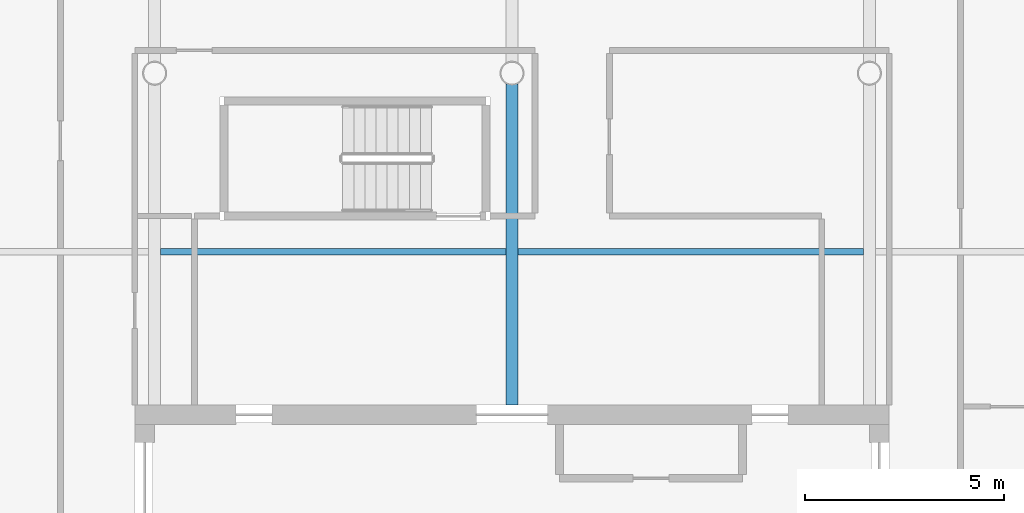
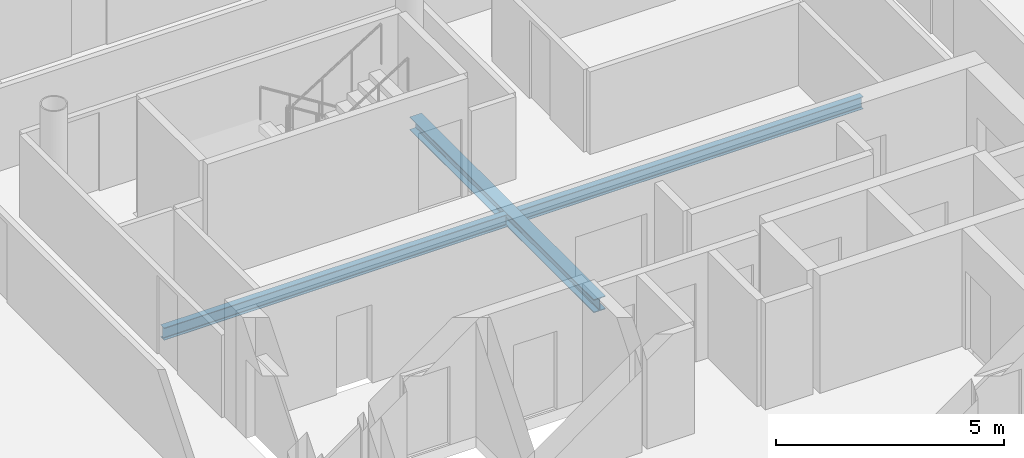
# One storey, part 7 of 20: 3 beams.
"""IFC4 building model written with IfcOpenShell, lengths in metres."""

from ifc_helpers import new_model, si_unit, direction, frame, origin, origin_2d, place, context, subcontext, project, spatial, i_section, extrude, material, material_profile, profile_set, type_object, element, save


model = new_model("IFC4")

# Units and contexts
model_context = context("Model", 3, precision=1e-05, world=origin(), true_north=direction((0.0, 1.0)))
body_context = subcontext(model_context, "Body", "Model", "MODEL_VIEW")
ifc_project = project(units=[si_unit("LENGTHUNIT", "METRE"), si_unit("AREAUNIT", "SQUARE_METRE"), si_unit("VOLUMEUNIT", "CUBIC_METRE"), si_unit("PLANEANGLEUNIT", "RADIAN"), si_unit("MASSUNIT", "GRAM", prefix="KILO")], contexts=[model_context])

# Site, building, storey
site_placement = place(None, origin())
site = spatial("IfcSite", under=ifc_project, at=site_placement, CompositionType="ELEMENT")
building_placement = place(site_placement, origin())
building = spatial("IfcBuilding", under=site, at=building_placement, Name="Tskaro Facet Tower", CompositionType="ELEMENT")
storey_placement = place(building_placement, frame((0.0, 0.0, 194.25)))
storey = spatial("IfcBuildingStorey", under=building, at=storey_placement, Name="L49", CompositionType="ELEMENT", Elevation=194.25)

# Beams
ifc_material = material(Name="Steel S355J2", Category="steel")
ifc_material_profile_1 = material_profile(ifc_material, i_section(OverallWidth=0.300048828125, OverallDepth=0.35009765625, WebThickness=0.010009765625, FlangeThickness=0.017578125, FilletRadius=0.027099609375, at=origin_2d()), Name="HE 360 A")
ifc_profile_set_1 = profile_set([ifc_material_profile_1], Name="Steel S355J2")
beam_type_1 = type_object("IfcBeamType", Name="HE 360 A girder", PredefinedType="BEAM", material=ifc_profile_set_1)
beam_placement = place(storey_placement, frame((0.0, 0.64990234375, -0.31494140625), z_axis=(0.0, 1.0, 0.0), x_axis=(-1.0, 0.0, 0.0)))
element("IfcBeam", 1, at=beam_placement, inside=storey, type_object=beam_type_1, Name="HE 360 A GB4-2-4", PredefinedType="BEAM", context=body_context, shape_type="SweptSolid", body=[
    extrude(i_section(OverallWidth=0.300048828125, OverallDepth=0.35009765625, WebThickness=0.010009765625, FlangeThickness=0.017578125, FilletRadius=0.027099609375, at=origin_2d()), origin(), (0.0, 0.0, 1.0), 8.0751953125),
])
ifc_material_profile_2 = material_profile(ifc_material, i_section(OverallWidth=0.159912109375, OverallDepth=0.330078125, WebThickness=0.007568359375, FlangeThickness=0.011474609375, FilletRadius=0.01806640625, at=origin_2d()), Name="IPE 330")
ifc_profile_set_2 = profile_set([ifc_material_profile_2], Name="Steel S355J2")
beam_type_2 = type_object("IfcBeamType", Name="IPE 330 secondary beam", PredefinedType="BEAM", material=ifc_profile_set_2)
for number, where, z_axis, x_axis, name in (
    (2, (-8.85009765625, 4.5, -0.304931640625), (1.0, 0.0, 0.0), (0.0, 1.0, 0.0), "IPE 330 SB4a-3-4"),
    (3, (0.14990234375, 4.5, -0.304931640625), (1.0, 0.0, 0.0), (0.0, 1.0, 0.0), "IPE 330 SB4a-4-4"),
):
    element("IfcBeam", number, at=place(storey_placement, frame(where, z_axis=z_axis, x_axis=x_axis)), inside=storey, type_object=beam_type_2, Name=name, PredefinedType="BEAM", context=body_context, shape_type="SweptSolid", body=[
        extrude(i_section(OverallWidth=0.159912109375, OverallDepth=0.330078125, WebThickness=0.007568359375, FlangeThickness=0.011474609375, FilletRadius=0.01806640625, at=origin_2d()), origin(), (0.0, 0.0, 1.0), 8.7001953125),
    ])

save(model, "model.ifc")
